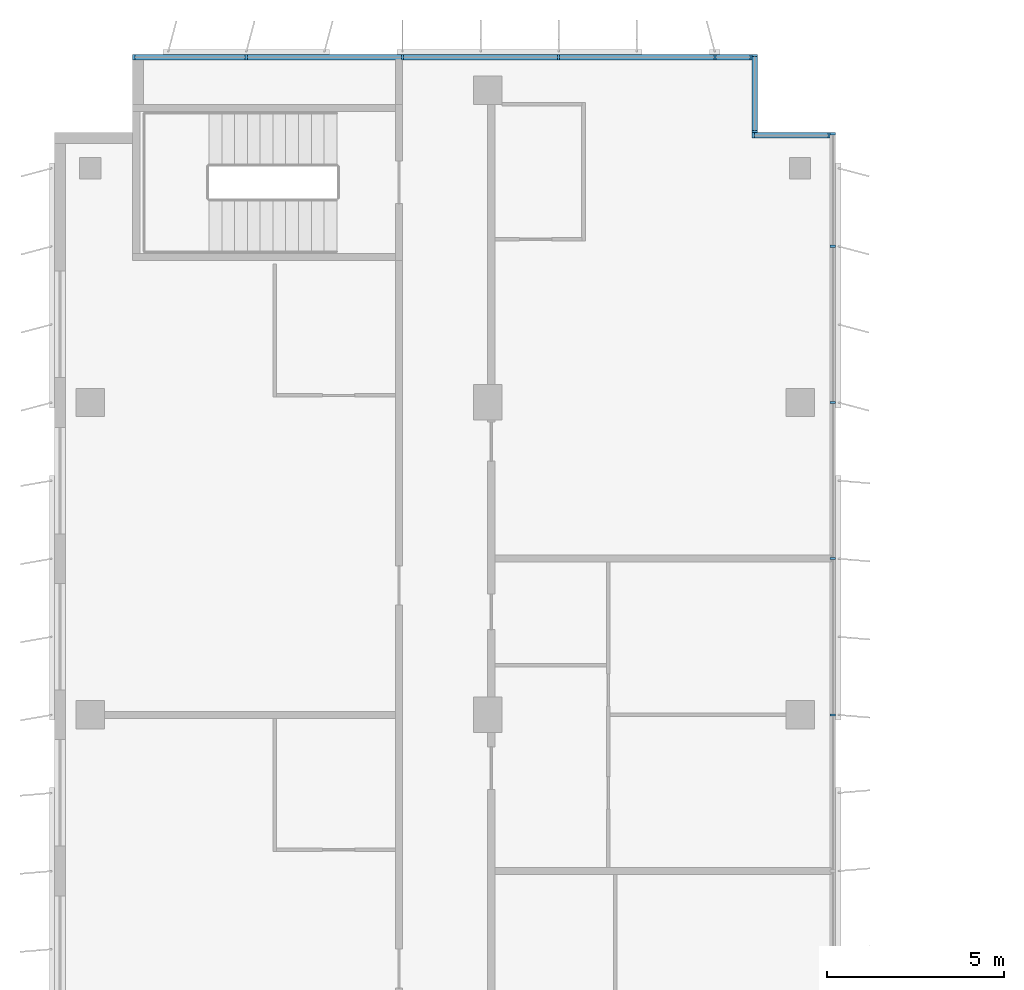
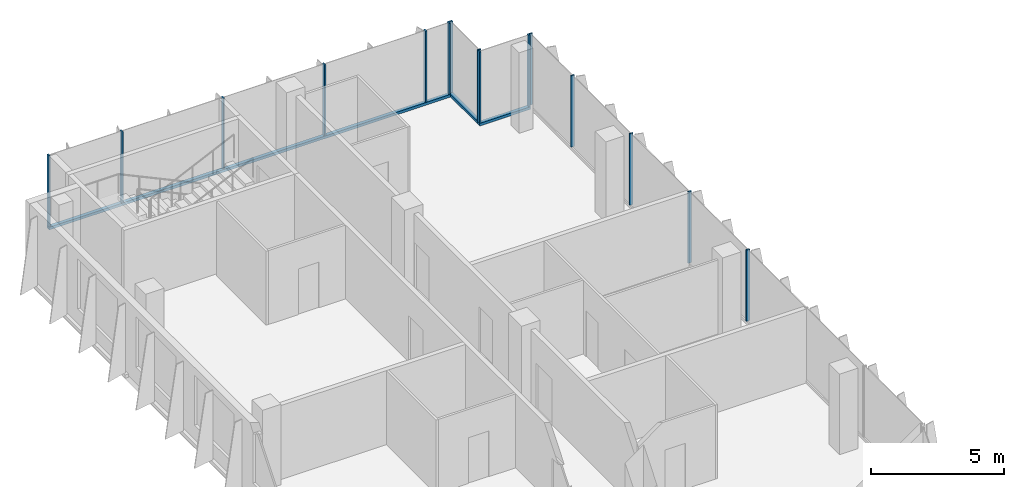
# One storey, part 6 of 15: 18 members, 4 elements without a shape of their own.
"""IFC4 building model written with IfcOpenShell, lengths in metres."""

from ifc_helpers import new_model, si_unit, direction, frame, origin, origin_2d, place, context, subcontext, project, spatial, rectangle, extrude, source, transform, mapped, material, material_profile, profile_set, type_object, element, aggregate, save


model = new_model("IFC4")

# Units and contexts
model_context = context("Model", 3, precision=1e-05, world=origin(), true_north=direction((0.0, 1.0)))
body_context = subcontext(model_context, "Body", "Model", "MODEL_VIEW")
ifc_project = project(units=[si_unit("LENGTHUNIT", "METRE"), si_unit("AREAUNIT", "SQUARE_METRE"), si_unit("VOLUMEUNIT", "CUBIC_METRE"), si_unit("PLANEANGLEUNIT", "RADIAN"), si_unit("MASSUNIT", "GRAM", prefix="KILO")], contexts=[model_context])

# Site, building, storey
site_placement = place(None, origin())
site = spatial("IfcSite", under=ifc_project, at=site_placement, CompositionType="ELEMENT")
building_placement = place(site_placement, origin())
building = spatial("IfcBuilding", under=site, at=building_placement, Name="Kemantara Hotel Tower", CompositionType="ELEMENT")
storey_placement = place(building_placement, frame((0.0, 0.0, 261.10009765625)))
storey = spatial("IfcBuildingStorey", under=building, at=storey_placement, Name="L65", CompositionType="ELEMENT", Elevation=261.10009765625)

# Curtain wall, member
ifc_material_1 = material(Name="Low-E tinted double insulated glass 36 mm", Category="glass")
curtain_wall_type = type_object("IfcCurtainWallType", Name="TOWER CURTAIN WALL, FRONT FACES", PredefinedType="USERDEFINED", material=ifc_material_1)
curtain_wall_1_placement = place(storey_placement, origin())
curtain_wall_1 = element("IfcCurtainWall", 1, at=curtain_wall_1_placement, inside=storey, type_object=curtain_wall_type, Name="CW4 L65 T4-R02-1", ObjectType="TOWER CURTAIN WALL, FRONT FACES", PredefinedType="USERDEFINED")
ifc_material_2 = material(Name="Aluminium 6063-T6 bronze anodised", Category="aluminium")
ifc_material_profile_1 = material_profile(ifc_material_2, rectangle(XDim=0.14990234375, YDim=0.1201171875, at=origin_2d()), Name="TOWER CURTAIN WALL, FRONT FACES TRANSOM")
ifc_profile_set_1 = profile_set([ifc_material_profile_1], Name="Aluminium 6063-T6 bronze anodised")
member_type_1 = type_object("IfcMemberType", Name="TOWER CURTAIN WALL, FRONT FACES TRANSOM", PredefinedType="USERDEFINED", material=ifc_profile_set_1)
member_1_placement = place(storey_placement, frame((19.64990234375, 63.52490234375, 0.059814453125), z_axis=(-1.0, 0.0, 0.0), x_axis=(0.0, -1.0, 0.0)))
member_1 = element("IfcMember", 2, at=member_1_placement, type_object=member_type_1, Name="CW4 sill transom T4-R02-1", ObjectType="TRANSOM", PredefinedType="USERDEFINED", context=body_context, shape_type="SweptSolid", body=[
    extrude(rectangle(XDim=0.14990234375, YDim=0.1201171875, at=origin_2d()), origin(), (0.0, 0.0, 1.0), 17.449951171875),
])

curtain_wall_2_placement = place(storey_placement, origin())
curtain_wall_2 = element("IfcCurtainWall", 3, at=curtain_wall_2_placement, inside=storey, type_object=curtain_wall_type, Name="CW4 L65 T4-R00-1", ObjectType="TOWER CURTAIN WALL, FRONT FACES", PredefinedType="USERDEFINED")
member_2_placement = place(storey_placement, frame((21.85009765625, 61.324951171875, 0.059814453125), z_axis=(-1.0, 0.0, 0.0), x_axis=(0.0, -1.0, 0.0)))
member_2 = element("IfcMember", 4, at=member_2_placement, type_object=member_type_1, Name="CW4 sill transom T4-R00-1", ObjectType="TRANSOM", PredefinedType="USERDEFINED", context=body_context, shape_type="SweptSolid", body=[
    extrude(rectangle(XDim=0.14990234375, YDim=0.1201171875, at=origin_2d()), origin(), (0.0, 0.0, 1.0), 2.2001953125),
])

curtain_wall_3_placement = place(storey_placement, origin())
curtain_wall_3 = element("IfcCurtainWall", 5, at=curtain_wall_3_placement, inside=storey, type_object=curtain_wall_type, Name="CW4 L65 T4-R01-1", ObjectType="TOWER CURTAIN WALL, FRONT FACES", PredefinedType="USERDEFINED")
member_3_placement = place(storey_placement, frame((19.72509765625, 61.39990234375, 0.059814453125), z_axis=(0.0, 1.0, 0.0), x_axis=(-1.0, 0.0, 0.0)))
member_3 = element("IfcMember", 6, at=member_3_placement, type_object=member_type_1, Name="CW4 sill transom T4-R01-1", ObjectType="TRANSOM", PredefinedType="USERDEFINED", context=body_context, shape_type="SweptSolid", body=[
    extrude(rectangle(XDim=0.14990234375, YDim=0.1201171875, at=origin_2d()), origin(), (0.0, 0.0, 1.0), 2.2001953125),
])

# Member
ifc_material_profile_2 = material_profile(ifc_material_2, rectangle(XDim=0.14990234375, YDim=0.06005859375, at=origin_2d()), Name="TOWER CURTAIN WALL, FRONT FACES MULLION")
ifc_profile_set_2 = profile_set([ifc_material_profile_2], Name="Aluminium 6063-T6 bronze anodised")
member_type_2 = type_object("IfcMemberType", Name="TOWER CURTAIN WALL, FRONT FACES MULLION", PredefinedType="MULLION", material=ifc_profile_set_2)
shared_shape = source(origin(), body_context, "Body", "SweptSolid", [
    extrude(rectangle(XDim=0.14990234375, YDim=0.06005859375, at=origin_2d()), origin(), (0.0, 0.0, 1.0), 3.280029296875),
])
member_4_placement = place(storey_placement, frame((19.6201171875, 63.52490234375, 0.119873046875), z_axis=(0.0, 0.0, 1.0), x_axis=(0.0, -1.0, 0.0)))
member_4 = element("IfcMember", 7, at=member_4_placement, type_object=member_type_2, Name="CW4 mullion T4-R02-1.1", PredefinedType="MULLION", context=body_context, shape_type="MappedRepresentation", body=[
    mapped(shared_shape, transform((0.0, 0.0, 0.0))),
])

member_5_placement = place(storey_placement, frame((18.60009765625, 63.52490234375, 0.119873046875), z_axis=(0.0, 0.0, 1.0), x_axis=(0.0, -1.0, 0.0)))
member_5 = element("IfcMember", 8, at=member_5_placement, type_object=member_type_2, Name="CW4 mullion T4-R02-1.2", PredefinedType="MULLION", context=body_context, shape_type="MappedRepresentation", body=[
    mapped(shared_shape, transform((0.0, 0.0, 0.0))),
])

member_6_placement = place(storey_placement, frame((14.199951171875, 63.52490234375, 0.119873046875), z_axis=(0.0, 0.0, 1.0), x_axis=(0.0, -1.0, 0.0)))
member_6 = element("IfcMember", 9, at=member_6_placement, type_object=member_type_2, Name="CW4 mullion T4-R02-1.3", PredefinedType="MULLION", context=body_context, shape_type="MappedRepresentation", body=[
    mapped(shared_shape, transform((0.0, 0.0, 0.0))),
])

member_7_placement = place(storey_placement, frame((9.800048828125, 63.52490234375, 0.119873046875), z_axis=(0.0, 0.0, 1.0), x_axis=(0.0, -1.0, 0.0)))
member_7 = element("IfcMember", 10, at=member_7_placement, type_object=member_type_2, Name="CW4 mullion T4-R02-1.4", PredefinedType="MULLION", context=body_context, shape_type="MappedRepresentation", body=[
    mapped(shared_shape, transform((0.0, 0.0, 0.0))),
])

member_8_placement = place(storey_placement, frame((5.39990234375, 63.52490234375, 0.119873046875), z_axis=(0.0, 0.0, 1.0), x_axis=(0.0, -1.0, 0.0)))
member_8 = element("IfcMember", 11, at=member_8_placement, type_object=member_type_2, Name="CW4 mullion T4-R02-1.5", PredefinedType="MULLION", context=body_context, shape_type="MappedRepresentation", body=[
    mapped(shared_shape, transform((0.0, 0.0, 0.0))),
])

member_9_placement = place(storey_placement, frame((2.22998046875, 63.52490234375, 0.119873046875), z_axis=(0.0, 0.0, 1.0), x_axis=(0.0, -1.0, 0.0)))
member_9 = element("IfcMember", 12, at=member_9_placement, type_object=member_type_2, Name="CW4 mullion T4-R02-1.6", PredefinedType="MULLION", context=body_context, shape_type="MappedRepresentation", body=[
    mapped(shared_shape, transform((0.0, 0.0, 0.0))),
])

aggregate(curtain_wall_1, [member_1, member_4, member_5, member_6, member_7, member_8, member_9])

# Curtain wall, members
curtain_wall_4_placement = place(storey_placement, origin())
curtain_wall_4 = element("IfcCurtainWall", 13, at=curtain_wall_4_placement, inside=storey, type_object=curtain_wall_type, Name="CW4 L65 T4-R15-1", ObjectType="TOWER CURTAIN WALL, FRONT FACES", PredefinedType="USERDEFINED")
member_10_placement = place(storey_placement, frame((21.925048828125, 45.0, 0.119873046875), z_axis=(0.0, 0.0, 1.0), x_axis=(-1.0, 0.0, 0.0)))
member_10 = element("IfcMember", 14, at=member_10_placement, type_object=member_type_2, Name="CW4 mullion T4-R15-1.6", PredefinedType="MULLION", context=body_context, shape_type="MappedRepresentation", body=[
    mapped(shared_shape, transform((0.0, 0.0, 0.0))),
])
member_11_placement = place(storey_placement, frame((21.925048828125, 49.39990234375, 0.119873046875), z_axis=(0.0, 0.0, 1.0), x_axis=(-1.0, 0.0, 0.0)))
member_11 = element("IfcMember", 15, at=member_11_placement, type_object=member_type_2, Name="CW4 mullion T4-R15-1.7", PredefinedType="MULLION", context=body_context, shape_type="MappedRepresentation", body=[
    mapped(shared_shape, transform((0.0, 0.0, 0.0))),
])
member_12_placement = place(storey_placement, frame((21.925048828125, 53.800048828125, 0.119873046875), z_axis=(0.0, 0.0, 1.0), x_axis=(-1.0, 0.0, 0.0)))
member_12 = element("IfcMember", 16, at=member_12_placement, type_object=member_type_2, Name="CW4 mullion T4-R15-1.8", PredefinedType="MULLION", context=body_context, shape_type="MappedRepresentation", body=[
    mapped(shared_shape, transform((0.0, 0.0, 0.0))),
])
member_13_placement = place(storey_placement, frame((21.925048828125, 58.199951171875, 0.119873046875), z_axis=(0.0, 0.0, 1.0), x_axis=(-1.0, 0.0, 0.0)))
member_13 = element("IfcMember", 17, at=member_13_placement, type_object=member_type_2, Name="CW4 mullion T4-R15-1.9", PredefinedType="MULLION", context=body_context, shape_type="MappedRepresentation", body=[
    mapped(shared_shape, transform((0.0, 0.0, 0.0))),
])
member_14_placement = place(storey_placement, frame((21.925048828125, 61.3701171875, 0.119873046875), z_axis=(0.0, 0.0, 1.0), x_axis=(-1.0, 0.0, 0.0)))
member_14 = element("IfcMember", 18, at=member_14_placement, type_object=member_type_2, Name="CW4 mullion T4-R15-1.10", PredefinedType="MULLION", context=body_context, shape_type="MappedRepresentation", body=[
    mapped(shared_shape, transform((0.0, 0.0, 0.0))),
])
aggregate(curtain_wall_4, [member_10, member_11, member_12, member_13, member_14])

# Member
member_15_placement = place(storey_placement, frame((21.820068359375, 61.324951171875, 0.119873046875), z_axis=(0.0, 0.0, 1.0), x_axis=(0.0, -1.0, 0.0)))
member_15 = element("IfcMember", 19, at=member_15_placement, type_object=member_type_2, Name="CW4 mullion T4-R00-1.1", PredefinedType="MULLION", context=body_context, shape_type="MappedRepresentation", body=[
    mapped(shared_shape, transform((0.0, 0.0, 0.0))),
])

member_16_placement = place(storey_placement, frame((19.679931640625, 61.324951171875, 0.119873046875), z_axis=(0.0, 0.0, 1.0), x_axis=(0.0, -1.0, 0.0)))
member_16 = element("IfcMember", 20, at=member_16_placement, type_object=member_type_2, Name="CW4 mullion T4-R00-1.2", PredefinedType="MULLION", context=body_context, shape_type="MappedRepresentation", body=[
    mapped(shared_shape, transform((0.0, 0.0, 0.0))),
])

aggregate(curtain_wall_2, [member_2, member_15, member_16])

member_17_placement = place(storey_placement, frame((19.72509765625, 61.429931640625, 0.119873046875), z_axis=(0.0, 0.0, 1.0), x_axis=(-1.0, 0.0, 0.0)))
member_17 = element("IfcMember", 21, at=member_17_placement, type_object=member_type_2, Name="CW4 mullion T4-R01-1.1", PredefinedType="MULLION", context=body_context, shape_type="MappedRepresentation", body=[
    mapped(shared_shape, transform((0.0, 0.0, 0.0))),
])

member_18_placement = place(storey_placement, frame((19.72509765625, 63.570068359375, 0.119873046875), z_axis=(0.0, 0.0, 1.0), x_axis=(-1.0, 0.0, 0.0)))
member_18 = element("IfcMember", 22, at=member_18_placement, type_object=member_type_2, Name="CW4 mullion T4-R01-1.2", PredefinedType="MULLION", context=body_context, shape_type="MappedRepresentation", body=[
    mapped(shared_shape, transform((0.0, 0.0, 0.0))),
])

aggregate(curtain_wall_3, [member_3, member_17, member_18])

save(model, "model.ifc")
